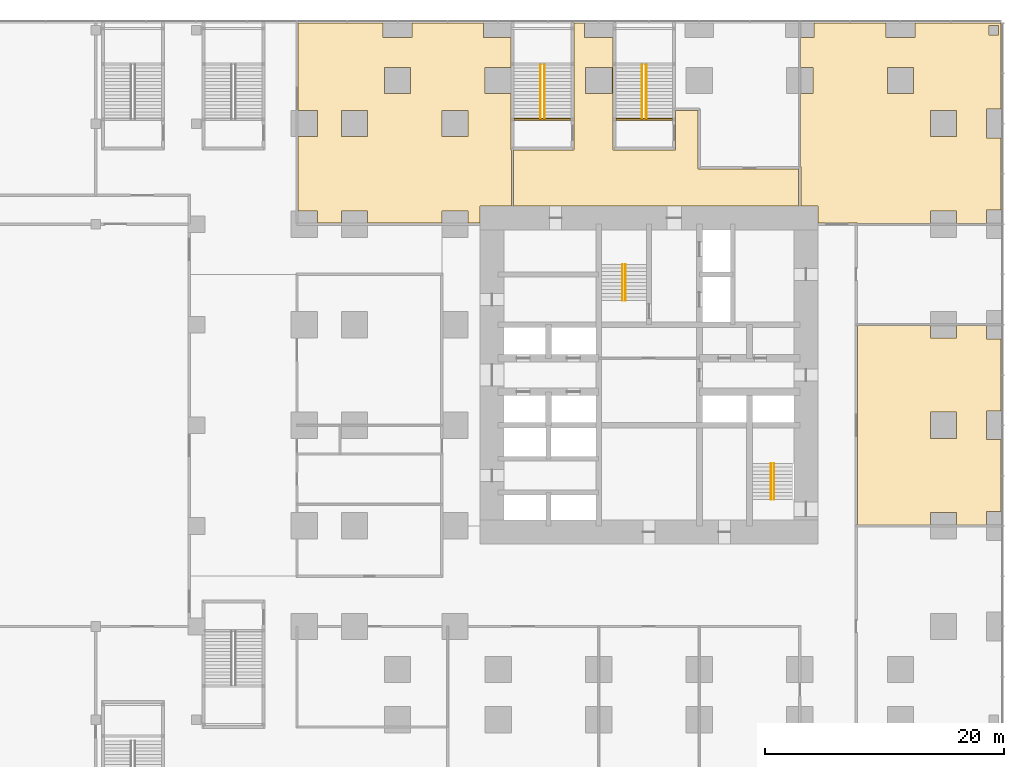
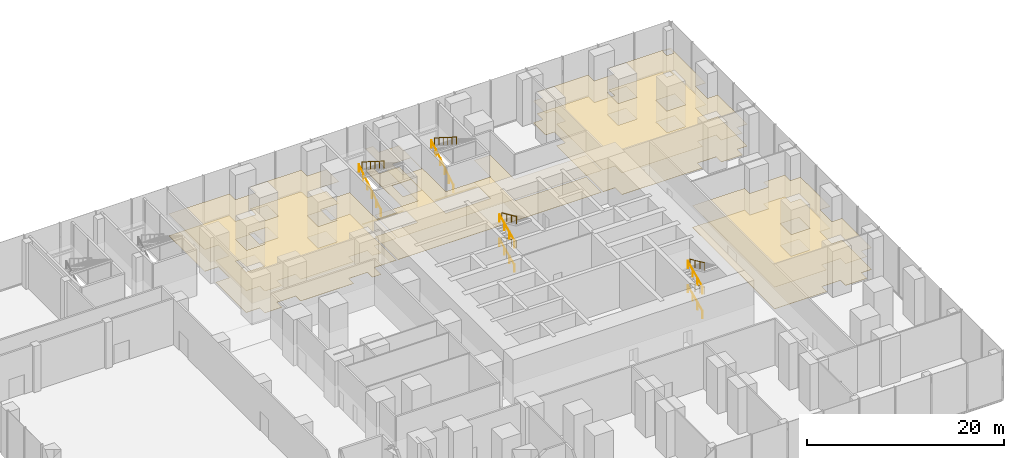
# One storey, part 32 of 32: 12 railings, 10 coverings.
"""IFC4 building model written with IfcOpenShell, lengths in metres."""

import ifcopenshell
import ifcopenshell.guid

model = None  # the IFC model being written
_history = None  # IfcOwnerHistory: only IFC2X3 demands one
_inside = {}  # id of a spatial element -> (the spatial element, [elements in it])
_under = {}  # id of a project, library or spatial element -> (it, [spatial elements below it])
_declared = {}  # id of a project -> (the project, [libraries it declares])
_typed = {}  # id of a type object -> (the type object, [elements of that type])
_made_of = {}  # id of a material, layer set ... -> (it, [elements and type objects made of it])


def new_model(schema):
    """Start an empty IFC model of exactly this schema.

    Asked for "IFC4X3", IfcOpenShell would pick the latest addendum, in which some entities
    have other attributes; the version numbers below select the first issue.
    IFC2X3 requires an IfcOwnerHistory on every rooted entity: one is made here for all.
    """
    global model, _history
    if schema == "IFC4X3":
        model = ifcopenshell.file(schema_version=(4, 3, 0, 0))
    else:
        model = ifcopenshell.file(schema=schema)
    _inside.clear()
    _under.clear()
    _declared.clear()
    _typed.clear()
    _made_of.clear()
    _history = None
    if model.schema == "IFC2X3":
        org = make("IfcOrganization", Name="unknown")
        user = make(
            "IfcPersonAndOrganization",
            ThePerson=make("IfcPerson", FamilyName="unknown"),
            TheOrganization=org,
        )
        app = make(
            "IfcApplication",
            ApplicationDeveloper=org,
            Version="unknown",
            ApplicationFullName="unknown",
            ApplicationIdentifier="unknown",
        )
        _history = make(
            "IfcOwnerHistory",
            OwningUser=user,
            OwningApplication=app,
            ChangeAction="ADDED",
            CreationDate=0,
        )
    return model


def make(cls, **values):
    """One entity of the class cls with the attributes given. An attribute that is None is left unset."""
    return model.create_entity(
        cls, **{name: value for name, value in values.items() if value is not None}
    )


def rooted(cls, **values):
    """An entity with a GlobalId (a new one), such as an element, a storey or a relation."""
    return make(cls, GlobalId=ifcopenshell.guid.new(), OwnerHistory=_history, **values)


def si_unit(unit_type, name, prefix=None):
    """IfcSIUnit, for example si_unit("LENGTHUNIT", "METRE", prefix="MILLI")."""
    return make("IfcSIUnit", UnitType=unit_type, Prefix=prefix, Name=name)


def assignment(units):
    """IfcUnitAssignment: the units of a project."""
    return None if units is None else make("IfcUnitAssignment", Units=units)


def point(xyz):
    """IfcCartesianPoint."""
    return None if xyz is None else make("IfcCartesianPoint", Coordinates=xyz)


def direction(xyz):
    """IfcDirection."""
    return None if xyz is None else make("IfcDirection", DirectionRatios=xyz)


def frame(location, z_axis=None, x_axis=None):
    """IfcAxis2Placement3D, a coordinate frame: its origin and axes. An axis left out is left unset."""
    return make(
        "IfcAxis2Placement3D",
        Location=point(location),
        Axis=direction(z_axis),
        RefDirection=direction(x_axis),
    )


def frame_2d(location, x_axis=None):
    """IfcAxis2Placement2D, a coordinate frame in the plane: its origin and x axis."""
    return make(
        "IfcAxis2Placement2D", Location=point(location), RefDirection=direction(x_axis)
    )


def origin():
    """The frame at (0, 0, 0) with its axes left unset."""
    return frame((0.0, 0.0, 0.0))


def origin_2d():
    """The frame at (0, 0) in the plane with its x axis left unset."""
    return frame_2d((0.0, 0.0))


def place(relative_to, where):
    """IfcLocalPlacement: puts the frame where relative to a parent placement (None: the world)."""
    return make(
        "IfcLocalPlacement", PlacementRelTo=relative_to, RelativePlacement=where
    )


def context(
    kind, dimensions, precision=None, world=None, true_north=None, identifier=None
):
    """IfcGeometricRepresentationContext, for example the 3D "Model" context."""
    return make(
        "IfcGeometricRepresentationContext",
        ContextIdentifier=identifier,
        ContextType=kind,
        CoordinateSpaceDimension=dimensions,
        Precision=precision,
        WorldCoordinateSystem=world,
        TrueNorth=true_north,
    )


def subcontext(parent, identifier, kind, view, scale=None):
    """IfcGeometricRepresentationSubContext, for example "Body" below "Model"."""
    return make(
        "IfcGeometricRepresentationSubContext",
        ContextIdentifier=identifier,
        ContextType=kind,
        ParentContext=parent,
        TargetScale=scale,
        TargetView=view,
    )


def project(units=None, contexts=None):
    """IfcProject with its units and contexts."""
    return rooted(
        "IfcProject",
        Name="project",
        RepresentationContexts=contexts,
        UnitsInContext=assignment(units),
    )


def spatial(cls, under=None, at=None, **own):
    """A site, building, storey or space (cls), placed at a placement, below another one or the project."""
    s = rooted(cls, ObjectPlacement=at, **own)
    if under is not None:
        _under.setdefault(under.id(), (under, []))[1].append(s)
    return s


def polyline(points):
    """IfcPolyline through the points."""
    return make("IfcPolyline", Points=[point(p) for p in points])


def profile(cls, at=None, kind="AREA", **sizes):
    """A parametric profile (cls). Its sizes go by their IFC names, for example OverallWidth=200.0."""
    return make(cls, ProfileType=kind, Position=at, **sizes)


def circle(**sizes):
    """IfcCircleProfileDef."""
    return profile("IfcCircleProfileDef", **sizes)


def outline(outer, holes=None, kind="AREA"):
    """IfcArbitraryClosedProfileDef: a profile drawn as a closed curve; with holes, ...WithVoids."""
    if holes is None:
        return make("IfcArbitraryClosedProfileDef", ProfileType=kind, OuterCurve=outer)
    return make(
        "IfcArbitraryProfileDefWithVoids",
        ProfileType=kind,
        OuterCurve=outer,
        InnerCurves=holes,
    )


def extrude(swept, where, along, depth):
    """IfcExtrudedAreaSolid: the profile swept, set in the frame where, extruded along a direction by depth."""
    return make(
        "IfcExtrudedAreaSolid",
        SweptArea=swept,
        Position=where,
        ExtrudedDirection=direction(along),
        Depth=depth,
    )


def shape(context_of_items, identifier, shape_type, items):
    """IfcShapeRepresentation: the items that make up one representation, for example the "Body"."""
    return make(
        "IfcShapeRepresentation",
        ContextOfItems=context_of_items,
        RepresentationIdentifier=identifier,
        RepresentationType=shape_type,
        Items=items,
    )


def material(Name=None, Category=None):
    """IfcMaterial."""
    return make("IfcMaterial", Name=Name, Category=Category)


def layer(
    of_material, thickness, ventilated=None, Name=None, Category=None, Priority=None
):
    """IfcMaterialLayer: one layer of a wall or slab, of a material (None: an air gap)."""
    return make(
        "IfcMaterialLayer",
        Material=of_material,
        LayerThickness=thickness,
        IsVentilated=ventilated,
        Name=Name,
        Category=Category,
        Priority=Priority,
    )


def layer_set(layers, Name=None):
    """IfcMaterialLayerSet."""
    return make("IfcMaterialLayerSet", MaterialLayers=layers, LayerSetName=Name)


def made_of(thing, what):
    """Note that an element or type object is made of a material, layer set ...; save() writes the relation."""
    if what is not None:
        _made_of.setdefault(what.id(), (what, []))[1].append(thing)
    return thing


def type_object(cls, material=None, **own):
    """A type object (cls), such as IfcWallType, which elements share."""
    return made_of(rooted(cls, **own), material)


def element(
    cls,
    number,
    at=None,
    inside=None,
    cuts=None,
    type_object=None,
    material=None,
    context=None,
    identifier="Body",
    shape_type=None,
    held_by="IfcProductDefinitionShape",
    body=None,
    shapes=None,
    **own,
):
    """One element of the class cls, such as IfcWall. Its Tag is "e" and its number.

    at: its placement. inside: the storey or other place that contains it. cuts: it is an
    opening in that element (IfcRelVoidsElement). A single representation is given by context,
    identifier, shape_type and body (its items); several are given by shapes. held_by: the class
    of the entity that holds the representations. save() writes the other relations.
    """
    e = rooted(cls, Tag="e%d" % number, ObjectPlacement=at, **own)
    if body is not None:
        shapes = [shape(context, identifier, shape_type, body)]
    if shapes is not None:
        e.Representation = make(held_by, Representations=shapes)
    if inside is not None:
        _inside.setdefault(inside.id(), (inside, []))[1].append(e)
    if cuts is not None:
        rooted(
            "IfcRelVoidsElement", RelatingBuildingElement=cuts, RelatedOpeningElement=e
        )
    if type_object is not None:
        _typed.setdefault(type_object.id(), (type_object, []))[1].append(e)
    return made_of(e, material)


def aggregate(whole, parts):
    """IfcRelAggregates: a whole, such as a stair, and the parts it consists of."""
    return rooted("IfcRelAggregates", RelatingObject=whole, RelatedObjects=parts)


def save(model, path):
    """Write the relations noted so far, then the file.

    IfcRelAggregates (storeys below a building ...), IfcRelContainedInSpatialStructure (elements
    in a storey), IfcRelDefinesByType, IfcRelAssociatesMaterial and IfcRelDeclares: one each for
    every whole, place, type object, material and project.
    """
    for whole, parts in _under.values():
        aggregate(whole, parts)
    for where, things in _inside.values():
        rooted(
            "IfcRelContainedInSpatialStructure",
            RelatedElements=things,
            RelatingStructure=where,
        )
    for kind, things in _typed.values():
        rooted("IfcRelDefinesByType", RelatedObjects=things, RelatingType=kind)
    for what, things in _made_of.values():
        rooted("IfcRelAssociatesMaterial", RelatedObjects=things, RelatingMaterial=what)
    for by, libraries in _declared.values():
        rooted("IfcRelDeclares", RelatingContext=by, RelatedDefinitions=libraries)
    model.write(path)


model = new_model("IFC4")

# Units and contexts
model_context = context("Model", 3, precision=1e-05, world=origin(), true_north=direction((0.0, 1.0)))
body_context = subcontext(model_context, "Body", "Model", "MODEL_VIEW")
ifc_project = project(units=[si_unit("LENGTHUNIT", "METRE"), si_unit("AREAUNIT", "SQUARE_METRE"), si_unit("VOLUMEUNIT", "CUBIC_METRE"), si_unit("PLANEANGLEUNIT", "RADIAN"), si_unit("MASSUNIT", "GRAM", prefix="KILO")], contexts=[model_context])

# Site, building, storey
site_placement = place(None, origin())
site = spatial("IfcSite", under=ifc_project, at=site_placement, CompositionType="ELEMENT")
building_placement = place(site_placement, origin())
building = spatial("IfcBuilding", under=site, at=building_placement, Name="Dunama Terrace Hotel", CompositionType="ELEMENT")
storey_placement = place(building_placement, frame((0.0, 0.0, 6.0)))
storey = spatial("IfcBuildingStorey", under=building, at=storey_placement, Name="L01", CompositionType="ELEMENT", Elevation=6.0)

# Railings
ifc_material_1 = material(Name="Stainless steel handrail", Category="steel")
railing_type = type_object("IfcRailingType", Name="Stair handrail 900", PredefinedType="HANDRAIL", material=ifc_material_1)
railing_1_placement = place(storey_placement, frame((27.175048828125, 35.625, 0.136474609375)))
element("IfcRailing", 1, at=railing_1_placement, inside=storey, type_object=railing_type, Name="Handrail ST1 L01", PredefinedType="HANDRAIL", context=body_context, shape_type="SweptSolid", body=[
    extrude(circle(Radius=0.02392578125, at=origin_2d()), frame((0.0, 0.0, 0.8759765625), z_axis=(0.0, 0.910379163139, 0.413775034678), x_axis=(-1.0, 0.0, 0.0)), (0.0, 0.0, 1.0), 3.29541015625),
    extrude(circle(Radius=0.02099609375, at=origin_2d()), origin(), (0.0, 0.0, 1.0), 0.851806640625),
    extrude(circle(Radius=0.02099609375, at=origin_2d()), frame((0.0, 1.0, 0.45458984375)), (0.0, 0.0, 1.0), 0.851806640625),
    extrude(circle(Radius=0.02099609375, at=origin_2d()), frame((0.0, 2.0, 0.908935546875)), (0.0, 0.0, 1.0), 0.851806640625),
    extrude(circle(Radius=0.02099609375, at=origin_2d()), frame((0.0, 3.0, 1.363525390625)), (0.0, 0.0, 1.0), 0.851806640625),
])
railing_2_placement = place(storey_placement, frame((27.425048828125, 38.625, 1.636474609375)))
element("IfcRailing", 2, at=railing_2_placement, inside=storey, type_object=railing_type, Name="Handrail ST1 L01", PredefinedType="HANDRAIL", context=body_context, shape_type="SweptSolid", body=[
    extrude(circle(Radius=0.02392578125, at=origin_2d()), frame((0.0, 0.0, 0.8759765625), z_axis=(0.0, -0.910379163139, 0.413775034678), x_axis=(1.0, 0.0, 0.0)), (0.0, 0.0, 1.0), 3.29541015625),
    extrude(circle(Radius=0.02099609375, at=origin_2d()), origin(), (0.0, 0.0, 1.0), 0.851806640625),
    extrude(circle(Radius=0.02099609375, at=origin_2d()), frame((0.0, -1.0, 0.45458984375)), (0.0, 0.0, 1.0), 0.851806640625),
    extrude(circle(Radius=0.02099609375, at=origin_2d()), frame((0.0, -2.0, 0.908935546875)), (0.0, 0.0, 1.0), 0.851806640625),
    extrude(circle(Radius=0.02099609375, at=origin_2d()), frame((0.0, -3.0, 1.363525390625)), (0.0, 0.0, 1.0), 0.851806640625),
])
railing_3_placement = place(storey_placement, frame((27.175048828125, 35.625, 3.136474609375)))
element("IfcRailing", 3, at=railing_3_placement, inside=storey, type_object=railing_type, Name="Handrail ST1 L01", PredefinedType="HANDRAIL", context=body_context, shape_type="SweptSolid", body=[
    extrude(circle(Radius=0.02392578125, at=origin_2d()), frame((0.0, 0.0, 0.8759765625), z_axis=(0.0, 0.910379163139, 0.413775034678), x_axis=(-1.0, 0.0, 0.0)), (0.0, 0.0, 1.0), 3.29541015625),
    extrude(circle(Radius=0.02099609375, at=origin_2d()), origin(), (0.0, 0.0, 1.0), 0.851806640625),
    extrude(circle(Radius=0.02099609375, at=origin_2d()), frame((0.0, 1.0, 0.45458984375)), (0.0, 0.0, 1.0), 0.851806640625),
    extrude(circle(Radius=0.02099609375, at=origin_2d()), frame((0.0, 2.0, 0.908935546875)), (0.0, 0.0, 1.0), 0.851806640625),
    extrude(circle(Radius=0.02099609375, at=origin_2d()), frame((0.0, 3.0, 1.363525390625)), (0.0, 0.0, 1.0), 0.851806640625),
])
railing_4_placement = place(storey_placement, frame((27.425048828125, 38.625, 4.636474609375)))
element("IfcRailing", 4, at=railing_4_placement, inside=storey, type_object=railing_type, Name="Handrail ST1 L01", PredefinedType="HANDRAIL", context=body_context, shape_type="SweptSolid", body=[
    extrude(circle(Radius=0.02392578125, at=origin_2d()), frame((0.0, 0.0, 0.8759765625), z_axis=(0.0, -0.910379163139, 0.413775034678), x_axis=(1.0, 0.0, 0.0)), (0.0, 0.0, 1.0), 3.29541015625),
    extrude(circle(Radius=0.02099609375, at=origin_2d()), origin(), (0.0, 0.0, 1.0), 0.851806640625),
    extrude(circle(Radius=0.02099609375, at=origin_2d()), frame((0.0, -1.0, 0.45458984375)), (0.0, 0.0, 1.0), 0.851806640625),
    extrude(circle(Radius=0.02099609375, at=origin_2d()), frame((0.0, -2.0, 0.908935546875)), (0.0, 0.0, 1.0), 0.851806640625),
    extrude(circle(Radius=0.02099609375, at=origin_2d()), frame((0.0, -3.0, 1.363525390625)), (0.0, 0.0, 1.0), 0.851806640625),
])
railing_5_placement = place(storey_placement, frame((39.60009765625, 19.0, 0.136474609375)))
element("IfcRailing", 5, at=railing_5_placement, inside=storey, type_object=railing_type, Name="Handrail ST2 L01", PredefinedType="HANDRAIL", context=body_context, shape_type="SweptSolid", body=[
    extrude(circle(Radius=0.02392578125, at=origin_2d()), frame((0.0, 0.0, 0.8759765625), z_axis=(0.0, 0.910379163139, 0.413775034678), x_axis=(-1.0, 0.0, 0.0)), (0.0, 0.0, 1.0), 3.29541015625),
    extrude(circle(Radius=0.02099609375, at=origin_2d()), origin(), (0.0, 0.0, 1.0), 0.851806640625),
    extrude(circle(Radius=0.02099609375, at=origin_2d()), frame((0.0, 1.0, 0.45458984375)), (0.0, 0.0, 1.0), 0.851806640625),
    extrude(circle(Radius=0.02099609375, at=origin_2d()), frame((0.0, 2.0, 0.908935546875)), (0.0, 0.0, 1.0), 0.851806640625),
    extrude(circle(Radius=0.02099609375, at=origin_2d()), frame((0.0, 3.0, 1.363525390625)), (0.0, 0.0, 1.0), 0.851806640625),
])
railing_6_placement = place(storey_placement, frame((39.85009765625, 22.0, 1.636474609375)))
element("IfcRailing", 6, at=railing_6_placement, inside=storey, type_object=railing_type, Name="Handrail ST2 L01", PredefinedType="HANDRAIL", context=body_context, shape_type="SweptSolid", body=[
    extrude(circle(Radius=0.02392578125, at=origin_2d()), frame((0.0, 0.0, 0.8759765625), z_axis=(0.0, -0.910379163139, 0.413775034678), x_axis=(1.0, 0.0, 0.0)), (0.0, 0.0, 1.0), 3.29541015625),
    extrude(circle(Radius=0.02099609375, at=origin_2d()), origin(), (0.0, 0.0, 1.0), 0.851806640625),
    extrude(circle(Radius=0.02099609375, at=origin_2d()), frame((0.0, -1.0, 0.45458984375)), (0.0, 0.0, 1.0), 0.851806640625),
    extrude(circle(Radius=0.02099609375, at=origin_2d()), frame((0.0, -2.0, 0.908935546875)), (0.0, 0.0, 1.0), 0.851806640625),
    extrude(circle(Radius=0.02099609375, at=origin_2d()), frame((0.0, -3.0, 1.363525390625)), (0.0, 0.0, 1.0), 0.851806640625),
])
railing_7_placement = place(storey_placement, frame((39.60009765625, 19.0, 3.136474609375)))
element("IfcRailing", 7, at=railing_7_placement, inside=storey, type_object=railing_type, Name="Handrail ST2 L01", PredefinedType="HANDRAIL", context=body_context, shape_type="SweptSolid", body=[
    extrude(circle(Radius=0.02392578125, at=origin_2d()), frame((0.0, 0.0, 0.8759765625), z_axis=(0.0, 0.910379163139, 0.413775034678), x_axis=(-1.0, 0.0, 0.0)), (0.0, 0.0, 1.0), 3.29541015625),
    extrude(circle(Radius=0.02099609375, at=origin_2d()), origin(), (0.0, 0.0, 1.0), 0.851806640625),
    extrude(circle(Radius=0.02099609375, at=origin_2d()), frame((0.0, 1.0, 0.45458984375)), (0.0, 0.0, 1.0), 0.851806640625),
    extrude(circle(Radius=0.02099609375, at=origin_2d()), frame((0.0, 2.0, 0.908935546875)), (0.0, 0.0, 1.0), 0.851806640625),
    extrude(circle(Radius=0.02099609375, at=origin_2d()), frame((0.0, 3.0, 1.363525390625)), (0.0, 0.0, 1.0), 0.851806640625),
])
railing_8_placement = place(storey_placement, frame((39.85009765625, 22.0, 4.636474609375)))
element("IfcRailing", 8, at=railing_8_placement, inside=storey, type_object=railing_type, Name="Handrail ST2 L01", PredefinedType="HANDRAIL", context=body_context, shape_type="SweptSolid", body=[
    extrude(circle(Radius=0.02392578125, at=origin_2d()), frame((0.0, 0.0, 0.8759765625), z_axis=(0.0, -0.910379163139, 0.413775034678), x_axis=(1.0, 0.0, 0.0)), (0.0, 0.0, 1.0), 3.29541015625),
    extrude(circle(Radius=0.02099609375, at=origin_2d()), origin(), (0.0, 0.0, 1.0), 0.851806640625),
    extrude(circle(Radius=0.02099609375, at=origin_2d()), frame((0.0, -1.0, 0.45458984375)), (0.0, 0.0, 1.0), 0.851806640625),
    extrude(circle(Radius=0.02099609375, at=origin_2d()), frame((0.0, -2.0, 0.908935546875)), (0.0, 0.0, 1.0), 0.851806640625),
    extrude(circle(Radius=0.02099609375, at=origin_2d()), frame((0.0, -3.0, 1.363525390625)), (0.0, 0.0, 1.0), 0.851806640625),
])
railing_9_placement = place(storey_placement, frame((20.324951171875, 50.824951171875, 0.176513671875)))
element("IfcRailing", 9, at=railing_9_placement, inside=storey, type_object=railing_type, Name="Handrail P5 L01", PredefinedType="HANDRAIL", context=body_context, shape_type="SweptSolid", body=[
    extrude(circle(Radius=0.02392578125, at=origin_2d()), frame((0.0, 0.0, 0.8759765625), z_axis=(0.0, 0.845997938375, 0.533186166611), x_axis=(-1.0, 0.0, 0.0)), (0.0, 0.0, 1.0), 5.29541015625),
    extrude(circle(Radius=0.02099609375, at=origin_2d()), origin(), (0.0, 0.0, 1.0), 0.851806640625),
    extrude(circle(Radius=0.02099609375, at=origin_2d()), frame((0.0, 0.89599609375, 0.564697265625)), (0.0, 0.0, 1.0), 0.851806640625),
    extrude(circle(Radius=0.02099609375, at=origin_2d()), frame((0.0, 1.7919921875, 1.12939453125)), (0.0, 0.0, 1.0), 0.851806640625),
    extrude(circle(Radius=0.02099609375, at=origin_2d()), frame((0.0, 2.68798828125, 1.694091796875)), (0.0, 0.0, 1.0), 0.851806640625),
    extrude(circle(Radius=0.02099609375, at=origin_2d()), frame((0.0, 3.583984375, 2.2587890625)), (0.0, 0.0, 1.0), 0.851806640625),
    extrude(circle(Radius=0.02099609375, at=origin_2d()), frame((0.0, 4.47998046875, 2.823486328125)), (0.0, 0.0, 1.0), 0.851806640625),
])
railing_10_placement = place(storey_placement, frame((20.675048828125, 55.304931640625, 3.176513671875)))
element("IfcRailing", 10, at=railing_10_placement, inside=storey, type_object=railing_type, Name="Handrail P5 L01", PredefinedType="HANDRAIL", context=body_context, shape_type="SweptSolid", body=[
    extrude(circle(Radius=0.02392578125, at=origin_2d()), frame((0.0, 0.0, 0.8759765625), z_axis=(0.0, -0.845997938375, 0.533186166611), x_axis=(1.0, 0.0, 0.0)), (0.0, 0.0, 1.0), 5.29541015625),
    extrude(circle(Radius=0.02099609375, at=origin_2d()), origin(), (0.0, 0.0, 1.0), 0.851806640625),
    extrude(circle(Radius=0.02099609375, at=origin_2d()), frame((0.0, -0.89599609375, 0.564697265625)), (0.0, 0.0, 1.0), 0.851806640625),
    extrude(circle(Radius=0.02099609375, at=origin_2d()), frame((0.0, -1.7919921875, 1.12939453125)), (0.0, 0.0, 1.0), 0.851806640625),
    extrude(circle(Radius=0.02099609375, at=origin_2d()), frame((0.0, -2.68798828125, 1.694091796875)), (0.0, 0.0, 1.0), 0.851806640625),
    extrude(circle(Radius=0.02099609375, at=origin_2d()), frame((0.0, -3.583984375, 2.2587890625)), (0.0, 0.0, 1.0), 0.851806640625),
    extrude(circle(Radius=0.02099609375, at=origin_2d()), frame((0.0, -4.47998046875, 2.823486328125)), (0.0, 0.0, 1.0), 0.851806640625),
])
railing_11_placement = place(storey_placement, frame((28.824951171875, 50.824951171875, 0.176513671875)))
element("IfcRailing", 11, at=railing_11_placement, inside=storey, type_object=railing_type, Name="Handrail P6 L01", PredefinedType="HANDRAIL", context=body_context, shape_type="SweptSolid", body=[
    extrude(circle(Radius=0.02392578125, at=origin_2d()), frame((0.0, 0.0, 0.8759765625), z_axis=(0.0, 0.845997938375, 0.533186166611), x_axis=(-1.0, 0.0, 0.0)), (0.0, 0.0, 1.0), 5.29541015625),
    extrude(circle(Radius=0.02099609375, at=origin_2d()), origin(), (0.0, 0.0, 1.0), 0.851806640625),
    extrude(circle(Radius=0.02099609375, at=origin_2d()), frame((0.0, 0.89599609375, 0.564697265625)), (0.0, 0.0, 1.0), 0.851806640625),
    extrude(circle(Radius=0.02099609375, at=origin_2d()), frame((0.0, 1.7919921875, 1.12939453125)), (0.0, 0.0, 1.0), 0.851806640625),
    extrude(circle(Radius=0.02099609375, at=origin_2d()), frame((0.0, 2.68798828125, 1.694091796875)), (0.0, 0.0, 1.0), 0.851806640625),
    extrude(circle(Radius=0.02099609375, at=origin_2d()), frame((0.0, 3.583984375, 2.2587890625)), (0.0, 0.0, 1.0), 0.851806640625),
    extrude(circle(Radius=0.02099609375, at=origin_2d()), frame((0.0, 4.47998046875, 2.823486328125)), (0.0, 0.0, 1.0), 0.851806640625),
])
railing_12_placement = place(storey_placement, frame((29.175048828125, 55.304931640625, 3.176513671875)))
element("IfcRailing", 12, at=railing_12_placement, inside=storey, type_object=railing_type, Name="Handrail P6 L01", PredefinedType="HANDRAIL", context=body_context, shape_type="SweptSolid", body=[
    extrude(circle(Radius=0.02392578125, at=origin_2d()), frame((0.0, 0.0, 0.8759765625), z_axis=(0.0, -0.845997938375, 0.533186166611), x_axis=(1.0, 0.0, 0.0)), (0.0, 0.0, 1.0), 5.29541015625),
    extrude(circle(Radius=0.02099609375, at=origin_2d()), origin(), (0.0, 0.0, 1.0), 0.851806640625),
    extrude(circle(Radius=0.02099609375, at=origin_2d()), frame((0.0, -0.89599609375, 0.564697265625)), (0.0, 0.0, 1.0), 0.851806640625),
    extrude(circle(Radius=0.02099609375, at=origin_2d()), frame((0.0, -1.7919921875, 1.12939453125)), (0.0, 0.0, 1.0), 0.851806640625),
    extrude(circle(Radius=0.02099609375, at=origin_2d()), frame((0.0, -2.68798828125, 1.694091796875)), (0.0, 0.0, 1.0), 0.851806640625),
    extrude(circle(Radius=0.02099609375, at=origin_2d()), frame((0.0, -3.583984375, 2.2587890625)), (0.0, 0.0, 1.0), 0.851806640625),
    extrude(circle(Radius=0.02099609375, at=origin_2d()), frame((0.0, -4.47998046875, 2.823486328125)), (0.0, 0.0, 1.0), 0.851806640625),
])

# Coverings
ifc_material_2 = material(Name="Natural stone floor tiles", Category="masonry")
ifc_layer_1 = layer(ifc_material_2, 0.030029296875)
ifc_layer_set_1 = layer_set([ifc_layer_1], Name="Stone floor finish 30")
covering_type_1 = type_object("IfcCoveringType", Name="Stone floor finish 30", PredefinedType="FLOORING", material=ifc_layer_set_1)
covering_1_placement = place(storey_placement, origin())
element("IfcCovering", 13, at=covering_1_placement, inside=storey, type_object=covering_type_1, Name="Stair threshold P5 L01", PredefinedType="FLOORING", context=body_context, shape_type="SweptSolid", body=[
    extrude(outline(polyline([(22.875, 50.659912109375), (22.875, 50.824951171875), (18.125, 50.824951171875), (18.125, 50.659912109375), (22.875, 50.659912109375)])), origin(), (0.0, 0.0, 1.0), 0.030029296875),
])
covering_2_placement = place(storey_placement, origin())
element("IfcCovering", 14, at=covering_2_placement, inside=storey, type_object=covering_type_1, Name="Stair threshold P6 L01", PredefinedType="FLOORING", context=body_context, shape_type="SweptSolid", body=[
    extrude(outline(polyline([(31.375, 50.659912109375), (31.375, 50.824951171875), (26.625, 50.824951171875), (26.625, 50.659912109375), (31.375, 50.659912109375)])), origin(), (0.0, 0.0, 1.0), 0.030029296875),
])
covering_3_placement = place(storey_placement, origin())
element("IfcCovering", 15, at=covering_3_placement, inside=storey, type_object=covering_type_1, Name="Floor finish L01-27", PredefinedType="FLOORING", context=body_context, shape_type="SweptSolid", body=[
    extrude(outline(polyline([(7.199951171875, 58.800048828125), (0.10009765625, 58.800048828125), (0.10009765625, 51.5), (1.699951171875, 51.5), (1.699951171875, 49.300048828125), (0.10009765625, 49.300048828125), (0.10009765625, 43.10009765625), (1.699951171875, 43.10009765625), (1.699951171875, 42.10009765625), (3.699951171875, 42.10009765625), (3.699951171875, 43.10009765625), (5.89990234375, 43.10009765625), (5.89990234375, 42.10009765625), (12.10009765625, 42.10009765625), (12.10009765625, 43.10009765625), (14.300048828125, 43.10009765625), (14.300048828125, 42.10009765625), (15.300048828125, 42.10009765625), (15.300048828125, 42.5), (15.300048828125, 43.5), (17.300048828125, 43.5), (17.89990234375, 43.5), (17.89990234375, 48.175048828125), (17.875, 48.175048828125), (17.875, 48.425048828125), (17.875, 52.89990234375), (15.699951171875, 52.89990234375), (15.699951171875, 55.10009765625), (17.875, 55.10009765625), (17.875, 57.60009765625), (15.60009765625, 57.60009765625), (15.60009765625, 58.800048828125), (9.60009765625, 58.800048828125), (9.60009765625, 57.60009765625), (7.199951171875, 57.60009765625), (7.199951171875, 58.800048828125)]), holes=[polyline([(5.89990234375, 51.5), (5.89990234375, 49.300048828125), (3.699951171875, 49.300048828125), (3.699951171875, 51.5), (5.89990234375, 51.5)]), polyline([(14.300048828125, 51.5), (14.300048828125, 49.300048828125), (12.10009765625, 49.300048828125), (12.10009765625, 51.5), (14.300048828125, 51.5)]), polyline([(9.5, 55.10009765625), (9.5, 52.89990234375), (7.300048828125, 52.89990234375), (7.300048828125, 55.10009765625), (9.5, 55.10009765625)])]), origin(), (0.0, 0.0, 1.0), 0.030029296875),
])
covering_4_placement = place(storey_placement, origin())
element("IfcCovering", 16, at=covering_4_placement, inside=storey, type_object=covering_type_1, Name="Floor finish L01-28", PredefinedType="FLOORING", context=body_context, shape_type="SweptSolid", body=[
    extrude(outline(polyline([(49.199951171875, 58.800048828125), (43.199951171875, 58.800048828125), (43.199951171875, 57.60009765625), (42.074951171875, 57.60009765625), (42.074951171875, 55.10009765625), (43.10009765625, 55.10009765625), (43.10009765625, 52.89990234375), (42.074951171875, 52.89990234375), (42.074951171875, 46.800048828125), (42.10009765625, 46.800048828125), (42.10009765625, 46.60009765625), (42.10009765625, 43.5), (42.5, 43.5), (43.5, 43.5), (43.5, 42.10009765625), (46.60009765625, 42.10009765625), (46.699951171875, 42.10009765625), (46.800048828125, 42.10009765625), (46.800048828125, 42.074951171875), (52.89990234375, 42.074951171875), (52.89990234375, 43.10009765625), (55.10009765625, 43.10009765625), (55.10009765625, 42.074951171875), (57.60009765625, 42.074951171875), (57.60009765625, 43.199951171875), (58.800048828125, 43.199951171875), (58.800048828125, 49.199951171875), (57.60009765625, 49.199951171875), (57.60009765625, 51.60009765625), (58.800048828125, 51.60009765625), (58.800048828125, 58.800048828125), (51.60009765625, 58.800048828125), (51.60009765625, 57.60009765625), (49.199951171875, 57.60009765625), (49.199951171875, 58.800048828125)]), holes=[polyline([(55.10009765625, 51.5), (55.10009765625, 49.300048828125), (52.89990234375, 49.300048828125), (52.89990234375, 51.5), (55.10009765625, 51.5)]), polyline([(51.5, 55.10009765625), (51.5, 52.89990234375), (49.300048828125, 52.89990234375), (49.300048828125, 55.10009765625), (51.5, 55.10009765625)]), polyline([(58.60009765625, 58.60009765625), (58.60009765625, 57.800048828125), (57.800048828125, 57.800048828125), (57.800048828125, 58.60009765625), (58.60009765625, 58.60009765625)])]), origin(), (0.0, 0.0, 1.0), 0.030029296875),
])
covering_5_placement = place(storey_placement, origin())
element("IfcCovering", 17, at=covering_5_placement, inside=storey, type_object=covering_type_1, Name="Floor finish L01-29", PredefinedType="FLOORING", context=body_context, shape_type="SweptSolid", body=[
    extrude(outline(polyline([(58.800048828125, 26.39990234375), (58.800048828125, 32.39990234375), (57.60009765625, 32.39990234375), (57.60009765625, 33.52490234375), (55.10009765625, 33.52490234375), (55.10009765625, 32.5), (52.89990234375, 32.5), (52.89990234375, 33.52490234375), (46.800048828125, 33.52490234375), (46.800048828125, 16.875), (52.89990234375, 16.875), (52.89990234375, 17.89990234375), (55.10009765625, 17.89990234375), (55.10009765625, 16.875), (57.60009765625, 16.875), (57.60009765625, 18.0), (58.800048828125, 18.0), (58.800048828125, 24.0), (57.60009765625, 24.0), (57.60009765625, 26.39990234375), (58.800048828125, 26.39990234375)]), holes=[polyline([(55.10009765625, 26.300048828125), (55.10009765625, 24.10009765625), (52.89990234375, 24.10009765625), (52.89990234375, 26.300048828125), (55.10009765625, 26.300048828125)])]), origin(), (0.0, 0.0, 1.0), 0.030029296875),
])
covering_6_placement = place(storey_placement, origin())
element("IfcCovering", 18, at=covering_6_placement, inside=storey, type_object=covering_type_1, Name="Floor finish L01-50", PredefinedType="FLOORING", context=body_context, shape_type="SweptSolid", body=[
    extrude(outline(polyline([(24.0, 58.800048828125), (23.125, 58.800048828125), (23.125, 48.425048828125), (23.125, 48.300048828125), (23.125, 48.175048828125), (22.875, 48.175048828125), (18.125, 48.175048828125), (18.10009765625, 48.175048828125), (18.10009765625, 43.5), (41.5, 43.5), (41.89990234375, 43.5), (41.89990234375, 46.60009765625), (33.699951171875, 46.60009765625), (33.60009765625, 46.60009765625), (33.5, 46.60009765625), (33.5, 46.800048828125), (33.5, 51.5), (31.625, 51.5), (31.625, 48.425048828125), (31.625, 48.300048828125), (31.625, 48.175048828125), (31.375, 48.175048828125), (26.625, 48.175048828125), (26.5, 48.175048828125), (26.375, 48.175048828125), (26.375, 48.425048828125), (26.375, 57.60009765625), (24.0, 57.60009765625), (24.0, 58.800048828125)]), holes=[polyline([(26.300048828125, 55.10009765625), (26.300048828125, 52.89990234375), (24.10009765625, 52.89990234375), (24.10009765625, 55.10009765625), (26.300048828125, 55.10009765625)])]), origin(), (0.0, 0.0, 1.0), 0.030029296875),
])
ifc_material_3 = material(Name="Gypsum plasterboard ceiling")
ifc_layer_2 = layer(ifc_material_3, 0.02001953125)
ifc_layer_set_2 = layer_set([ifc_layer_2], Name="Suspended ceiling 20")
covering_type_2 = type_object("IfcCoveringType", Name="Suspended ceiling 20", PredefinedType="CEILING", material=ifc_layer_set_2)
covering_7_placement = place(storey_placement, frame((0.0, 0.0, 2.699951171875)))
element("IfcCovering", 19, at=covering_7_placement, inside=storey, type_object=covering_type_2, Name="Ceiling L01-27", PredefinedType="CEILING", context=body_context, shape_type="SweptSolid", body=[
    extrude(outline(polyline([(7.199951171875, 57.60009765625), (7.199951171875, 58.800048828125), (0.10009765625, 58.800048828125), (0.10009765625, 51.5), (1.699951171875, 51.5), (1.699951171875, 49.300048828125), (0.10009765625, 49.300048828125), (0.10009765625, 43.10009765625), (1.699951171875, 43.10009765625), (1.699951171875, 42.10009765625), (3.699951171875, 42.10009765625), (3.699951171875, 43.10009765625), (5.89990234375, 43.10009765625), (5.89990234375, 42.10009765625), (12.10009765625, 42.10009765625), (12.10009765625, 43.10009765625), (14.300048828125, 43.10009765625), (14.300048828125, 42.10009765625), (15.300048828125, 42.10009765625), (15.300048828125, 42.5), (15.300048828125, 43.5), (17.300048828125, 43.5), (17.89990234375, 43.5), (17.89990234375, 48.175048828125), (17.875, 48.175048828125), (17.875, 48.425048828125), (17.875, 52.89990234375), (15.699951171875, 52.89990234375), (15.699951171875, 55.10009765625), (17.875, 55.10009765625), (17.875, 57.60009765625), (15.60009765625, 57.60009765625), (15.60009765625, 58.800048828125), (9.60009765625, 58.800048828125), (9.60009765625, 57.60009765625), (7.199951171875, 57.60009765625)]), holes=[polyline([(3.699951171875, 51.5), (5.89990234375, 51.5), (5.89990234375, 49.300048828125), (3.699951171875, 49.300048828125), (3.699951171875, 51.5)]), polyline([(12.10009765625, 51.5), (14.300048828125, 51.5), (14.300048828125, 49.300048828125), (12.10009765625, 49.300048828125), (12.10009765625, 51.5)]), polyline([(7.300048828125, 55.10009765625), (9.5, 55.10009765625), (9.5, 52.89990234375), (7.300048828125, 52.89990234375), (7.300048828125, 55.10009765625)])]), origin(), (0.0, 0.0, 1.0), 0.02001953125),
])
covering_8_placement = place(storey_placement, frame((0.0, 0.0, 2.699951171875)))
element("IfcCovering", 20, at=covering_8_placement, inside=storey, type_object=covering_type_2, Name="Ceiling L01-28", PredefinedType="CEILING", context=body_context, shape_type="SweptSolid", body=[
    extrude(outline(polyline([(49.199951171875, 57.60009765625), (49.199951171875, 58.800048828125), (43.199951171875, 58.800048828125), (43.199951171875, 57.60009765625), (42.074951171875, 57.60009765625), (42.074951171875, 55.10009765625), (43.10009765625, 55.10009765625), (43.10009765625, 52.89990234375), (42.074951171875, 52.89990234375), (42.074951171875, 46.800048828125), (42.10009765625, 46.800048828125), (42.10009765625, 46.60009765625), (42.10009765625, 43.5), (42.5, 43.5), (43.5, 43.5), (43.5, 42.10009765625), (46.60009765625, 42.10009765625), (46.699951171875, 42.10009765625), (46.800048828125, 42.10009765625), (46.800048828125, 42.074951171875), (52.89990234375, 42.074951171875), (52.89990234375, 43.10009765625), (55.10009765625, 43.10009765625), (55.10009765625, 42.074951171875), (57.60009765625, 42.074951171875), (57.60009765625, 43.199951171875), (58.800048828125, 43.199951171875), (58.800048828125, 49.199951171875), (57.60009765625, 49.199951171875), (57.60009765625, 51.60009765625), (58.800048828125, 51.60009765625), (58.800048828125, 58.800048828125), (51.60009765625, 58.800048828125), (51.60009765625, 57.60009765625), (49.199951171875, 57.60009765625)]), holes=[polyline([(52.89990234375, 51.5), (55.10009765625, 51.5), (55.10009765625, 49.300048828125), (52.89990234375, 49.300048828125), (52.89990234375, 51.5)]), polyline([(49.300048828125, 55.10009765625), (51.5, 55.10009765625), (51.5, 52.89990234375), (49.300048828125, 52.89990234375), (49.300048828125, 55.10009765625)]), polyline([(57.800048828125, 58.60009765625), (58.60009765625, 58.60009765625), (58.60009765625, 57.800048828125), (57.800048828125, 57.800048828125), (57.800048828125, 58.60009765625)])]), origin(), (0.0, 0.0, 1.0), 0.02001953125),
])
covering_9_placement = place(storey_placement, frame((0.0, 0.0, 2.699951171875)))
element("IfcCovering", 21, at=covering_9_placement, inside=storey, type_object=covering_type_2, Name="Ceiling L01-29", PredefinedType="CEILING", context=body_context, shape_type="SweptSolid", body=[
    extrude(outline(polyline([(57.60009765625, 26.39990234375), (58.800048828125, 26.39990234375), (58.800048828125, 32.39990234375), (57.60009765625, 32.39990234375), (57.60009765625, 33.52490234375), (55.10009765625, 33.52490234375), (55.10009765625, 32.5), (52.89990234375, 32.5), (52.89990234375, 33.52490234375), (46.800048828125, 33.52490234375), (46.800048828125, 16.875), (52.89990234375, 16.875), (52.89990234375, 17.89990234375), (55.10009765625, 17.89990234375), (55.10009765625, 16.875), (57.60009765625, 16.875), (57.60009765625, 18.0), (58.800048828125, 18.0), (58.800048828125, 24.0), (57.60009765625, 24.0), (57.60009765625, 26.39990234375)]), holes=[polyline([(52.89990234375, 26.300048828125), (55.10009765625, 26.300048828125), (55.10009765625, 24.10009765625), (52.89990234375, 24.10009765625), (52.89990234375, 26.300048828125)])]), origin(), (0.0, 0.0, 1.0), 0.02001953125),
])
covering_10_placement = place(storey_placement, frame((0.0, 0.0, 2.699951171875)))
element("IfcCovering", 22, at=covering_10_placement, inside=storey, type_object=covering_type_2, Name="Ceiling L01-50", PredefinedType="CEILING", context=body_context, shape_type="SweptSolid", body=[
    extrude(outline(polyline([(24.0, 57.60009765625), (24.0, 58.800048828125), (23.125, 58.800048828125), (23.125, 48.425048828125), (23.125, 48.300048828125), (23.125, 48.175048828125), (22.875, 48.175048828125), (18.125, 48.175048828125), (18.10009765625, 48.175048828125), (18.10009765625, 43.5), (41.5, 43.5), (41.89990234375, 43.5), (41.89990234375, 46.60009765625), (33.699951171875, 46.60009765625), (33.60009765625, 46.60009765625), (33.5, 46.60009765625), (33.5, 46.800048828125), (33.5, 51.5), (31.625, 51.5), (31.625, 48.425048828125), (31.625, 48.300048828125), (31.625, 48.175048828125), (31.375, 48.175048828125), (26.625, 48.175048828125), (26.5, 48.175048828125), (26.375, 48.175048828125), (26.375, 48.425048828125), (26.375, 57.60009765625), (24.0, 57.60009765625)]), holes=[polyline([(24.10009765625, 55.10009765625), (26.300048828125, 55.10009765625), (26.300048828125, 52.89990234375), (24.10009765625, 52.89990234375), (24.10009765625, 55.10009765625)])]), origin(), (0.0, 0.0, 1.0), 0.02001953125),
])

save(model, "model.ifc")
